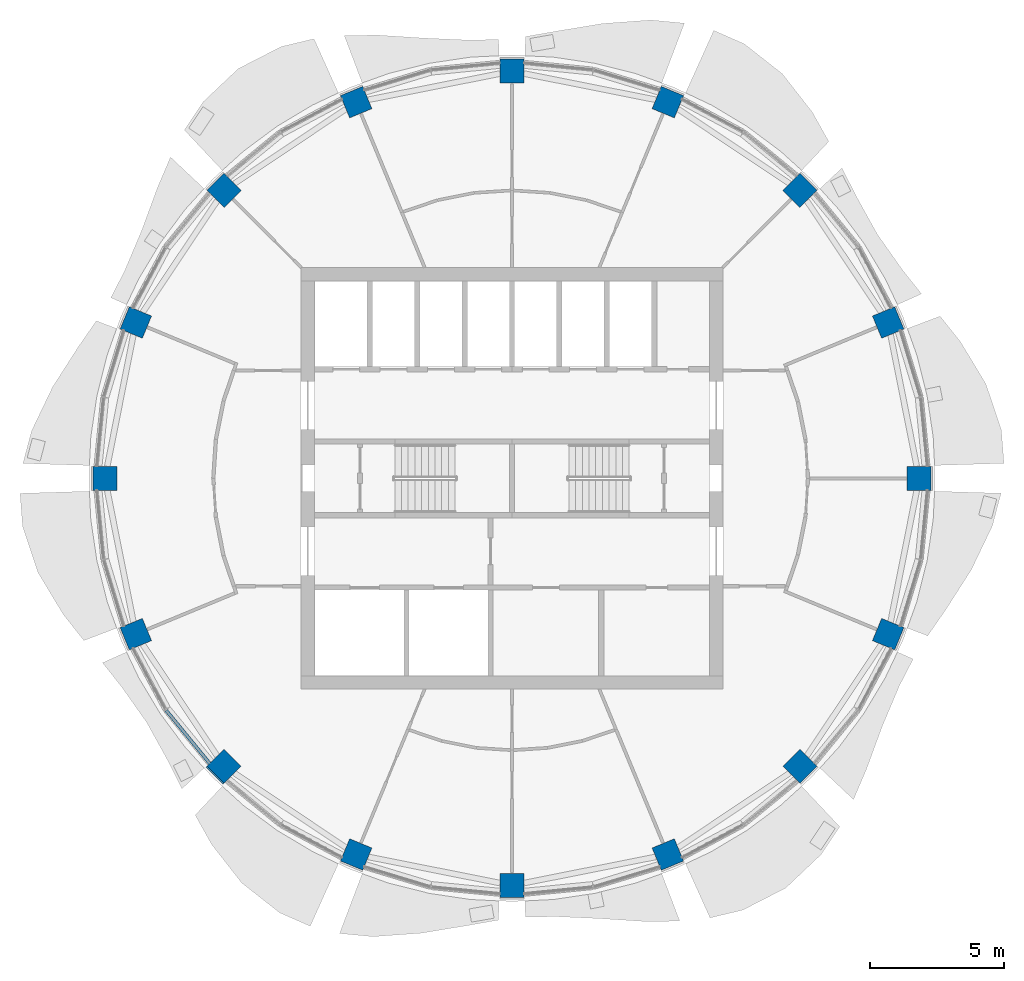
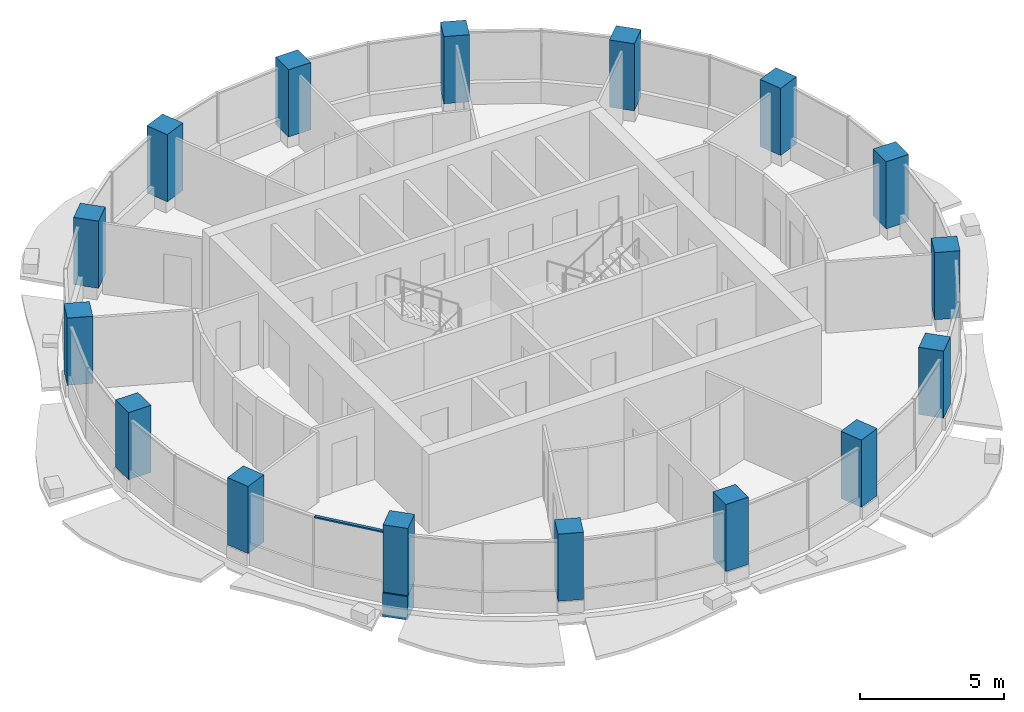
# One storey, part 1 of 14: 16 columns, 2 members, 1 element without a shape of its own.
"""IFC4 building model written with IfcOpenShell, lengths in metres."""

from ifc_helpers import new_model, si_unit, direction, frame, origin, origin_2d, place, context, subcontext, project, spatial, rectangle, extrude, material, material_profile, profile_set, type_object, element, aggregate, save


model = new_model("IFC4")

# Units and contexts
model_context = context("Model", 3, precision=1e-05, world=origin(), true_north=direction((0.0, 1.0)))
body_context = subcontext(model_context, "Body", "Model", "MODEL_VIEW")
ifc_project = project(units=[si_unit("LENGTHUNIT", "METRE"), si_unit("AREAUNIT", "SQUARE_METRE"), si_unit("VOLUMEUNIT", "CUBIC_METRE"), si_unit("PLANEANGLEUNIT", "RADIAN"), si_unit("MASSUNIT", "GRAM", prefix="KILO")], contexts=[model_context])

# Site, building, storey
site_placement = place(None, origin())
site = spatial("IfcSite", under=ifc_project, at=site_placement, CompositionType="ELEMENT")
building_placement = place(site_placement, origin())
building = spatial("IfcBuilding", under=site, at=building_placement, Name="Polderwave Tower", CompositionType="ELEMENT")
storey_placement = place(building_placement, frame((0.0, 0.0, 217.800048828125)))
storey = spatial("IfcBuildingStorey", under=building, at=storey_placement, Name="L59", CompositionType="ELEMENT", Elevation=217.800048828125)

# Columns
ifc_material_1 = material(Name="Concrete C60/75", Category="concrete")
ifc_material_profile_1 = material_profile(ifc_material_1, rectangle(XDim=0.89990234375, YDim=0.89990234375, at=origin_2d()), Name="RC 900x900")
ifc_profile_set_1 = profile_set([ifc_material_profile_1], Name="Concrete C60/75")
column_type = type_object("IfcColumnType", Name="RC COLUMN 900x900 C60/75", PredefinedType="COLUMN", material=ifc_profile_set_1)
for number, where, z_axis, x_axis, name in (
    (1, (15.199951171875, 0.0, 0.5), (0.0, 0.0, 1.0), (1.0, 0.0, 0.0), "Ring column 01"),
    (2, (14.04296875, 5.81689453125, 0.5), (0.0, 0.0, 1.0), (0.923879532511, 0.382683432365, 0.0), "Ring column 02"),
    (3, (10.748046875, 10.748046875, 0.5), (0.0, 0.0, 1.0), (0.707106781187, 0.707106781187, 0.0), "Ring column 03"),
    (4, (5.81689453125, 14.04296875, 0.5), (0.0, 0.0, 1.0), (0.382683432365, 0.923879532511, 0.0), "Ring column 04"),
    (5, (0.0, 15.199951171875, 0.5), (0.0, 0.0, 1.0), (0.0, 1.0, 0.0), "Ring column 05"),
    (6, (-5.81689453125, 14.04296875, 0.5), (0.0, 0.0, 1.0), (-0.382683432365, 0.923879532511, 0.0), "Ring column 06"),
    (7, (-10.748046875, 10.748046875, 0.5), (0.0, 0.0, 1.0), (-0.707106781187, 0.707106781187, 0.0), "Ring column 07"),
    (8, (-14.04296875, 5.81689453125, 0.5), (0.0, 0.0, 1.0), (-0.923879532511, 0.382683432365, 0.0), "Ring column 08"),
    (9, (-15.199951171875, 0.0, 0.5), (0.0, 0.0, 1.0), (-1.0, 0.0, 0.0), "Ring column 09"),
    (10, (-14.04296875, -5.81689453125, 0.5), (0.0, 0.0, 1.0), (-0.923879532511, -0.382683432365, 0.0), "Ring column 10"),
    (11, (-10.748046875, -10.748046875, 0.5), (0.0, 0.0, 1.0), (-0.707106781187, -0.707106781187, 0.0), "Ring column 11"),
    (12, (-5.81689453125, -14.04296875, 0.5), (0.0, 0.0, 1.0), (-0.382683432365, -0.923879532511, 0.0), "Ring column 12"),
    (13, (0.0, -15.199951171875, 0.5), (0.0, 0.0, 1.0), (0.0, -1.0, 0.0), "Ring column 13"),
    (14, (5.81689453125, -14.04296875, 0.5), (0.0, 0.0, 1.0), (0.382683432365, -0.923879532511, 0.0), "Ring column 14"),
    (15, (10.748046875, -10.748046875, 0.5), (0.0, 0.0, 1.0), (0.707106781187, -0.707106781187, 0.0), "Ring column 15"),
    (16, (14.04296875, -5.81689453125, 0.5), (0.0, 0.0, 1.0), (0.923879532511, -0.382683432365, 0.0), "Ring column 16"),
):
    element("IfcColumn", number, at=place(storey_placement, frame(where, z_axis=z_axis, x_axis=x_axis)), inside=storey, type_object=column_type, Name=name, PredefinedType="COLUMN", context=body_context, shape_type="SweptSolid", body=[
        extrude(rectangle(XDim=0.89990234375, YDim=0.89990234375, at=origin_2d()), origin(), (0.0, 0.0, 1.0), 2.849853515625),
    ])

# Curtain wall, member
ifc_material_2 = material(Name="Aluminium 6063-T6 and glass", Category="aluminium")
curtain_wall_type = type_object("IfcCurtainWallType", Name="Office ribbon glazing wall", PredefinedType="NOTDEFINED", material=ifc_material_2)
curtain_wall_placement = place(storey_placement, origin())
curtain_wall = element("IfcCurtainWall", 17, at=curtain_wall_placement, inside=storey, type_object=curtain_wall_type, Name="CW3 L59 09", PredefinedType="NOTDEFINED")
ifc_material_3 = material(Name="Aluminium 6063-T6", Category="aluminium")
ifc_material_profile_2 = material_profile(ifc_material_3, rectangle(XDim=0.1201171875, YDim=0.06005859375, at=origin_2d()), Name="AL 60x120")
ifc_profile_set_2 = profile_set([ifc_material_profile_2], Name="Aluminium 6063-T6")
member_type_1 = type_object("IfcMemberType", Name="Office ribbon glazing transom 60x120", PredefinedType="USERDEFINED", material=ifc_profile_set_2)
member_1_placement = place(storey_placement, frame((-12.91162109375, -8.660400390625, 2.969970703125), z_axis=(0.634417102491, -0.772990905552, 0.0), x_axis=(0.772990905552, 0.634417102491, 0.0)))
member_1 = element("IfcMember", 18, at=member_1_placement, type_object=member_type_1, Name="CW3 transom 2", ObjectType="TRANSOM", PredefinedType="USERDEFINED", context=body_context, shape_type="SweptSolid", body=[
    extrude(rectangle(XDim=0.1201171875, YDim=0.06005859375, at=origin_2d()), origin(), (0.0, 0.0, 1.0), 2.568603515625),
])
aggregate(curtain_wall, [member_1])

# Member
ifc_material_profile_3 = material_profile(ifc_material_1, rectangle(XDim=0.89990234375, YDim=0.89990234375, at=origin_2d()), Name="RC 900x900")
ifc_profile_set_3 = profile_set([ifc_material_profile_3], Name="Concrete C60/75")
member_type_2 = type_object("IfcMemberType", Name="RC NODE 900x900 C60/75", PredefinedType="POST", material=ifc_profile_set_3)
member_2_placement = place(storey_placement, frame((-10.78759765625, -10.78759765625, -0.5), z_axis=(0.0, 0.0, 1.0), x_axis=(-0.707106781187, -0.707106781187, 0.0)))
element("IfcMember", 19, at=member_2_placement, inside=storey, type_object=member_type_2, Name="Ring column node 11", PredefinedType="POST", context=body_context, shape_type="SweptSolid", body=[
    extrude(rectangle(XDim=0.89990234375, YDim=0.89990234375, at=origin_2d()), origin(), (0.0, 0.0, 1.0), 1.0),
])

save(model, "model.ifc")
